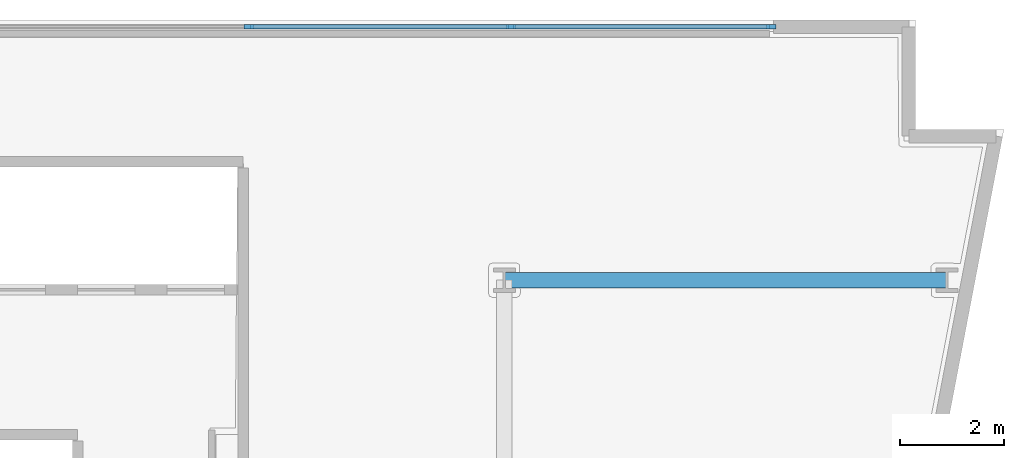
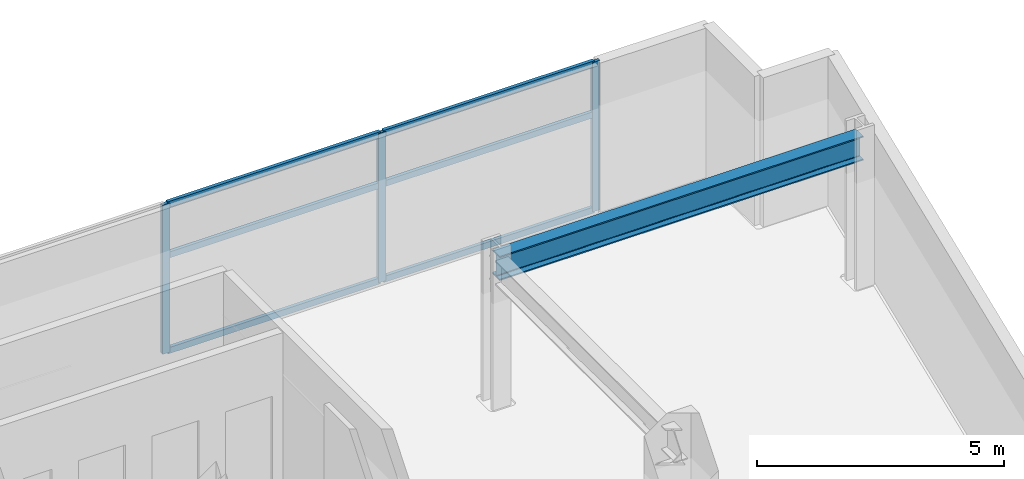
# One storey, part 4 of 13: 9 members, 1 beam, 1 element without a shape of its own.
"""IFC4 building model written with IfcOpenShell, lengths in metres."""

from ifc_helpers import new_model, si_unit, direction, frame, origin, origin_2d, place, context, subcontext, project, spatial, rectangle, i_section, extrude, material, layer, layer_set, material_profile, profile_set, type_object, element, aggregate, save


model = new_model("IFC4")

# Units and contexts
model_context = context("Model", 3, precision=1e-05, world=origin(), true_north=direction((0.0, 1.0)))
body_context = subcontext(model_context, "Body", "Model", "MODEL_VIEW")
ifc_project = project(units=[si_unit("LENGTHUNIT", "METRE"), si_unit("AREAUNIT", "SQUARE_METRE"), si_unit("VOLUMEUNIT", "CUBIC_METRE"), si_unit("PLANEANGLEUNIT", "RADIAN"), si_unit("MASSUNIT", "GRAM", prefix="KILO")], contexts=[model_context])

# Site, building, storey
site_placement = place(None, origin())
site = spatial("IfcSite", under=ifc_project, at=site_placement, CompositionType="ELEMENT")
building_placement = place(site_placement, origin())
building = spatial("IfcBuilding", under=site, at=building_placement, Name="Caeloran Harvest Quay", CompositionType="ELEMENT")
storey_placement = place(building_placement, frame((0.0, 0.0, 131.14990234375)))
storey = spatial("IfcBuildingStorey", under=building, at=storey_placement, Name="L30", CompositionType="ELEMENT", Elevation=131.14990234375)

# Beam
ifc_material_1 = material(Name="Steel S355J2", Category="steel")
ifc_material_profile_1 = material_profile(ifc_material_1, i_section(OverallWidth=0.300048828125, OverallDepth=0.60009765625, WebThickness=0.015380859375, FlangeThickness=0.030029296875, FilletRadius=0.027099609375, at=origin_2d()), Name="HE 600 B")
ifc_profile_set_1 = profile_set([ifc_material_profile_1], Name="Steel S355J2")
beam_type = type_object("IfcBeamType", Name="BM-PG-3-HE_600_B", PredefinedType="BEAM", material=ifc_profile_set_1)
beam_placement = place(storey_placement, frame((42.5, 38.5, 3.39013671875), z_axis=(1.0, 0.0, 0.0), x_axis=(0.0, 1.0, 0.0)))
element("IfcBeam", 1, at=beam_placement, inside=storey, type_object=beam_type, Name="L30 Primary East-West Girder Y=38.5", PredefinedType="BEAM", context=body_context, shape_type="SweptSolid", body=[
    extrude(i_section(OverallWidth=0.300048828125, OverallDepth=0.60009765625, WebThickness=0.015380859375, FlangeThickness=0.030029296875, FilletRadius=0.027099609375, at=origin_2d()), origin(), (0.0, 0.0, 1.0), 8.5),
])

# Curtain wall, members
ifc_material_2 = material(Name="Aluminium 6063-T6 and Low-E Glazing", Category="aluminium")
ifc_layer = layer(ifc_material_2, 0.18994140625, Name="Aluminium 6063-T6 and Low-E Glazing")
ifc_layer_set = layer_set([ifc_layer], Name="Aluminium 6063-T6 and Low-E Glazing")
curtain_wall_type = type_object("IfcCurtainWallType", Name="CW-SYS-CW-3", PredefinedType="USERDEFINED", material=ifc_layer_set)
curtain_wall_placement = place(storey_placement, origin())
curtain_wall = element("IfcCurtainWall", 2, at=curtain_wall_placement, inside=storey, type_object=curtain_wall_type, Name="L30 Unitised Curtain Wall CW-3 Run 6", ObjectType="CURTAIN_WALL", PredefinedType="USERDEFINED")
ifc_material_3 = material(Name="Aluminium 6063-T6", Category="aluminium")
ifc_material_profile_2 = material_profile(ifc_material_3, rectangle(XDim=0.080078125, YDim=0.179931640625, at=origin_2d()), Name="CW-MULLION-180")
ifc_profile_set_2 = profile_set([ifc_material_profile_2], Name="Aluminium 6063-T6")
member_type_1 = type_object("IfcMemberType", Name="CW-MULLION-180", PredefinedType="MULLION", material=ifc_profile_set_2)
member_1_placement = place(storey_placement, frame((37.5849609375, 43.3701171875, 0.0), z_axis=(0.0, 0.0, 1.0), x_axis=(0.0, 1.0, 0.0)))
member_1 = element("IfcMember", 3, at=member_1_placement, type_object=member_type_1, Name="CW-3 mullion 7", PredefinedType="MULLION", context=body_context, shape_type="SweptSolid", body=[
    extrude(rectangle(XDim=0.080078125, YDim=0.179931640625, at=origin_2d()), origin(), (0.0, 0.0, 1.0), 3.690185546875),
])
member_2_placement = place(storey_placement, frame((42.62744140625, 43.3701171875, 0.0), z_axis=(0.0, 0.0, 1.0), x_axis=(0.0, 1.0, 0.0)))
member_2 = element("IfcMember", 4, at=member_2_placement, type_object=member_type_1, Name="CW-3 mullion 8", PredefinedType="MULLION", context=body_context, shape_type="SweptSolid", body=[
    extrude(rectangle(XDim=0.080078125, YDim=0.179931640625, at=origin_2d()), origin(), (0.0, 0.0, 1.0), 3.690185546875),
])
member_3_placement = place(storey_placement, frame((47.6298828125, 43.3701171875, 0.0), z_axis=(0.0, 0.0, 1.0), x_axis=(0.0, 1.0, 0.0)))
member_3 = element("IfcMember", 5, at=member_3_placement, type_object=member_type_1, Name="CW-3 mullion 9", PredefinedType="MULLION", context=body_context, shape_type="SweptSolid", body=[
    extrude(rectangle(XDim=0.080078125, YDim=0.179931640625, at=origin_2d()), origin(), (0.0, 0.0, 1.0), 3.690185546875),
])
ifc_material_profile_3 = material_profile(ifc_material_3, rectangle(XDim=0.080078125, YDim=0.14990234375, at=origin_2d()), Name="CW-TRANSOM-150")
ifc_profile_set_3 = profile_set([ifc_material_profile_3], Name="Aluminium 6063-T6")
member_type_2 = type_object("IfcMemberType", Name="CW-TRANSOM-150", PredefinedType="USERDEFINED", material=ifc_profile_set_3)
member_4_placement = place(storey_placement, frame((37.625, 43.3701171875, 0.0400390625), z_axis=(1.0, 0.0, 0.0), x_axis=(0.0, 1.0, 0.0)))
member_4 = element("IfcMember", 6, at=member_4_placement, type_object=member_type_2, Name="CW-3 transom 7.1", ObjectType="TRANSOM", PredefinedType="USERDEFINED", context=body_context, shape_type="SweptSolid", body=[
    extrude(rectangle(XDim=0.080078125, YDim=0.14990234375, at=origin_2d()), origin(), (0.0, 0.0, 1.0), 4.96240234375),
])
member_5_placement = place(storey_placement, frame((37.625, 43.3701171875, 2.400146484375), z_axis=(1.0, 0.0, 0.0), x_axis=(0.0, 1.0, 0.0)))
member_5 = element("IfcMember", 7, at=member_5_placement, type_object=member_type_2, Name="CW-3 transom 7.2", ObjectType="TRANSOM", PredefinedType="USERDEFINED", context=body_context, shape_type="SweptSolid", body=[
    extrude(rectangle(XDim=0.080078125, YDim=0.14990234375, at=origin_2d()), origin(), (0.0, 0.0, 1.0), 4.96240234375),
])
member_6_placement = place(storey_placement, frame((37.625, 43.3701171875, 3.650146484375), z_axis=(1.0, 0.0, 0.0), x_axis=(0.0, 1.0, 0.0)))
member_6 = element("IfcMember", 8, at=member_6_placement, type_object=member_type_2, Name="CW-3 transom 7.3", ObjectType="TRANSOM", PredefinedType="USERDEFINED", context=body_context, shape_type="SweptSolid", body=[
    extrude(rectangle(XDim=0.080078125, YDim=0.14990234375, at=origin_2d()), origin(), (0.0, 0.0, 1.0), 4.96240234375),
])
member_7_placement = place(storey_placement, frame((42.66748046875, 43.3701171875, 0.0400390625), z_axis=(1.0, 0.0, 0.0), x_axis=(0.0, 1.0, 0.0)))
member_7 = element("IfcMember", 9, at=member_7_placement, type_object=member_type_2, Name="CW-3 transom 8.1", ObjectType="TRANSOM", PredefinedType="USERDEFINED", context=body_context, shape_type="SweptSolid", body=[
    extrude(rectangle(XDim=0.080078125, YDim=0.14990234375, at=origin_2d()), origin(), (0.0, 0.0, 1.0), 4.922607421875),
])
member_8_placement = place(storey_placement, frame((42.66748046875, 43.3701171875, 2.400146484375), z_axis=(1.0, 0.0, 0.0), x_axis=(0.0, 1.0, 0.0)))
member_8 = element("IfcMember", 10, at=member_8_placement, type_object=member_type_2, Name="CW-3 transom 8.2", ObjectType="TRANSOM", PredefinedType="USERDEFINED", context=body_context, shape_type="SweptSolid", body=[
    extrude(rectangle(XDim=0.080078125, YDim=0.14990234375, at=origin_2d()), origin(), (0.0, 0.0, 1.0), 4.922607421875),
])
member_9_placement = place(storey_placement, frame((42.66748046875, 43.3701171875, 3.650146484375), z_axis=(1.0, 0.0, 0.0), x_axis=(0.0, 1.0, 0.0)))
member_9 = element("IfcMember", 11, at=member_9_placement, type_object=member_type_2, Name="CW-3 transom 8.3", ObjectType="TRANSOM", PredefinedType="USERDEFINED", context=body_context, shape_type="SweptSolid", body=[
    extrude(rectangle(XDim=0.080078125, YDim=0.14990234375, at=origin_2d()), origin(), (0.0, 0.0, 1.0), 4.922607421875),
])
aggregate(curtain_wall, [member_1, member_2, member_3, member_4, member_5, member_6, member_7, member_8, member_9])

save(model, "model.ifc")
